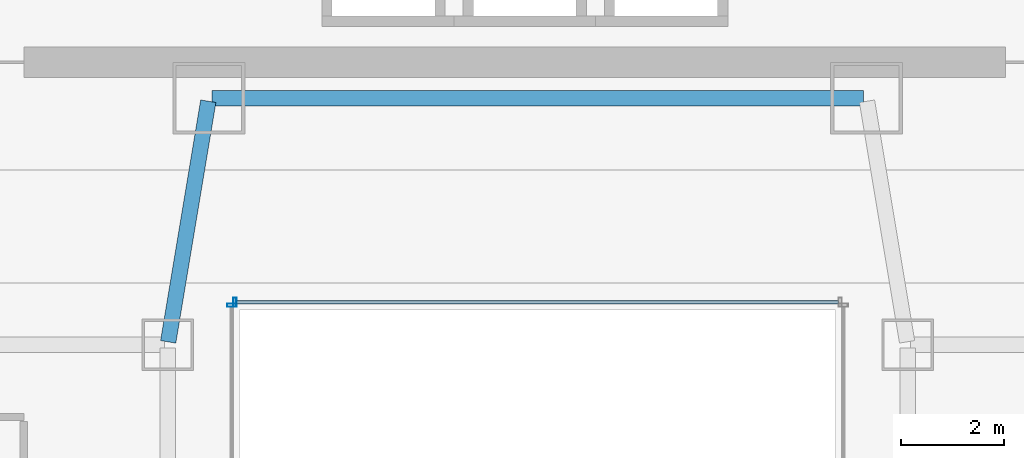
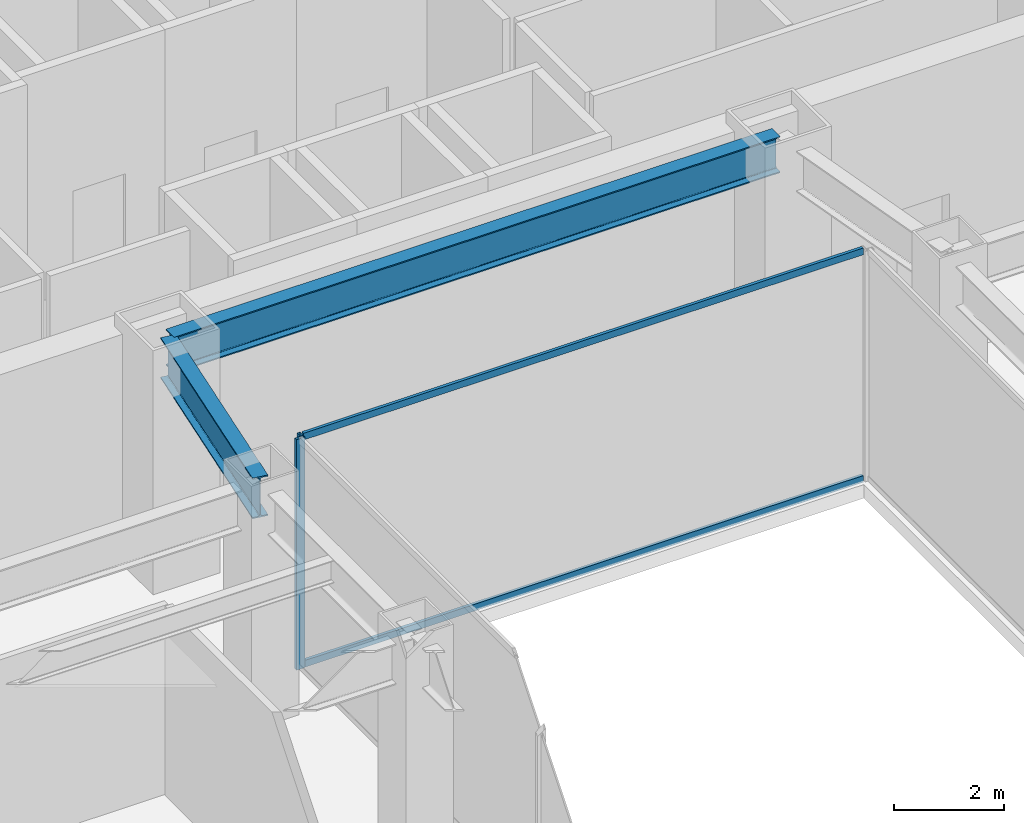
# One storey, part 24 of 52: 4 members, 2 beams, 2 elements without a shape of their own.
"""IFC4 building model written with IfcOpenShell, lengths in metres."""

from ifc_helpers import new_model, si_unit, direction, frame, origin, origin_2d, place, context, subcontext, project, spatial, hollow_rectangle, i_section, extrude, material, material_profile, profile_set, type_object, element, aggregate, save


model = new_model("IFC4")

# Units and contexts
model_context = context("Model", 3, precision=1e-05, world=origin(), true_north=direction((0.0, 1.0)))
body_context = subcontext(model_context, "Body", "Model", "MODEL_VIEW")
ifc_project = project(units=[si_unit("LENGTHUNIT", "METRE"), si_unit("AREAUNIT", "SQUARE_METRE"), si_unit("VOLUMEUNIT", "CUBIC_METRE"), si_unit("PLANEANGLEUNIT", "RADIAN"), si_unit("MASSUNIT", "GRAM", prefix="KILO")], contexts=[model_context])

# Site, building, storey
site_placement = place(None, origin())
site = spatial("IfcSite", under=ifc_project, at=site_placement, CompositionType="ELEMENT")
building_placement = place(site_placement, origin())
building = spatial("IfcBuilding", under=site, at=building_placement, Name="Saevonmaru Cultural Tower", CompositionType="ELEMENT")
storey_placement = place(building_placement, frame((0.0, 0.0, 16.800048828125)))
storey = spatial("IfcBuildingStorey", under=building, at=storey_placement, Name="L03", CompositionType="ELEMENT", Elevation=16.800048828125)

# Beams
ifc_material_1 = material(Name="Steel SM420", Category="steel")
ifc_material_profile_1 = material_profile(ifc_material_1, i_section(OverallWidth=0.300048828125, OverallDepth=0.800048828125, WebThickness=0.013916015625, FlangeThickness=0.02587890625, FilletRadius=0.028076171875, at=origin_2d()), Name="H-800x300x14x26")
ifc_profile_set_1 = profile_set([ifc_material_profile_1], Name="Steel SM420")
beam_type_1 = type_object("IfcBeamType", Name="BM-G-H800", PredefinedType="BEAM", material=ifc_profile_set_1)
beam_1_placement = place(storey_placement, frame((23.659912109375, 42.39990234375, 4.699951171875), z_axis=(1.0, 0.0, 0.0), x_axis=(0.0, 1.0, 0.0)))
element("IfcBeam", 1, at=beam_1_placement, inside=storey, type_object=beam_type_1, Name="L03 Core South Girder 3", PredefinedType="BEAM", context=body_context, shape_type="SweptSolid", body=[
    extrude(i_section(OverallWidth=0.300048828125, OverallDepth=0.800048828125, WebThickness=0.013916015625, FlangeThickness=0.02587890625, FilletRadius=0.028076171875, at=origin_2d()), origin(), (0.0, 0.0, 1.0), 12.68017578125),
])
ifc_material_profile_2 = material_profile(ifc_material_1, i_section(OverallWidth=0.300048828125, OverallDepth=0.89990234375, WebThickness=0.01611328125, FlangeThickness=0.028076171875, FilletRadius=0.028076171875, at=origin_2d()), Name="H-900x300x16x28")
ifc_profile_set_2 = profile_set([ifc_material_profile_2], Name="Steel SM420")
beam_type_2 = type_object("IfcBeamType", Name="BM-G-H900", PredefinedType="BEAM", material=ifc_profile_set_2)
beam_2_placement = place(storey_placement, frame((22.809814453125, 37.6591796875, 4.64990234375), z_axis=(0.164398987305, 0.986393923832, 0.0), x_axis=(-0.986393923832, 0.164398987305, 0.0)))
element("IfcBeam", 2, at=beam_2_placement, inside=storey, type_object=beam_type_2, Name="L03 Podium Girder NS2-6", PredefinedType="BEAM", context=body_context, shape_type="SweptSolid", body=[
    extrude(i_section(OverallWidth=0.300048828125, OverallDepth=0.89990234375, WebThickness=0.01611328125, FlangeThickness=0.028076171875, FilletRadius=0.028076171875, at=origin_2d()), origin(), (0.0, 0.0, 1.0), 4.746337890625),
])

# Curtain wall, member
ifc_material_2 = material(Name="Satin Bronze Anodised Aluminium", Category="aluminium")
curtain_wall_type = type_object("IfcCurtainWallType", Name="CW-ATR-GLZ", PredefinedType="NOTDEFINED", material=ifc_material_2)
curtain_wall_1_placement = place(storey_placement, origin())
curtain_wall_1 = element("IfcCurtainWall", 3, at=curtain_wall_1_placement, inside=storey, type_object=curtain_wall_type, Name="L03 Vertical Atrium Glazed Smoke Screen 3", PredefinedType="NOTDEFINED")
ifc_material_profile_3 = material_profile(ifc_material_2, hollow_rectangle(XDim=0.06494140625, YDim=0.179931640625, WallThickness=0.00390625, at=origin_2d()), Name="ALU-MULL-180x65x4")
ifc_profile_set_3 = profile_set([ifc_material_profile_3], Name="Satin Bronze Anodised Aluminium")
member_type_1 = type_object("IfcMemberType", Name="ML-CW-INT-180x65", PredefinedType="MULLION", material=ifc_profile_set_3)
member_1_placement = place(storey_placement, frame((24.110107421875, 38.429931640625, 0.0), z_axis=(0.0, 0.0, 1.0), x_axis=(-1.0, 0.0, 0.0)))
member_1 = element("IfcMember", 4, at=member_1_placement, type_object=member_type_1, Name="CW-ATR-L03-3 mullion 2", PredefinedType="MULLION", context=body_context, shape_type="SweptSolid", body=[
    extrude(hollow_rectangle(XDim=0.06494140625, YDim=0.179931640625, WallThickness=0.00390625, at=origin_2d()), origin(), (0.0, 0.0, 1.0), 5.099853515625),
])

curtain_wall_2_placement = place(storey_placement, origin())
curtain_wall_2 = element("IfcCurtainWall", 5, at=curtain_wall_2_placement, inside=storey, type_object=curtain_wall_type, Name="L03 Vertical Atrium Glazed Smoke Screen 4", PredefinedType="NOTDEFINED")
member_2_placement = place(storey_placement, frame((24.050048828125, 38.3701171875, 0.0), z_axis=(0.0, 0.0, 1.0), x_axis=(0.0, -1.0, 0.0)))
member_2 = element("IfcMember", 6, at=member_2_placement, type_object=member_type_1, Name="CW-ATR-L03-4 mullion 1", PredefinedType="MULLION", context=body_context, shape_type="SweptSolid", body=[
    extrude(hollow_rectangle(XDim=0.06494140625, YDim=0.179931640625, WallThickness=0.00390625, at=origin_2d()), origin(), (0.0, 0.0, 1.0), 5.099853515625),
])
aggregate(curtain_wall_2, [member_2])

# Member
ifc_material_profile_4 = material_profile(ifc_material_2, hollow_rectangle(XDim=0.06494140625, YDim=0.14990234375, WallThickness=0.00390625, at=origin_2d()), Name="ALU-TRAN-150x65x4")
ifc_profile_set_4 = profile_set([ifc_material_profile_4], Name="Satin Bronze Anodised Aluminium")
member_type_2 = type_object("IfcMemberType", Name="TR-CW-INT-150x65", PredefinedType="USERDEFINED", material=ifc_profile_set_4)
member_3_placement = place(storey_placement, frame((35.857421875, 38.429931640625, 0.032470703125), z_axis=(-1.0, 0.0, 0.0), x_axis=(0.0, -1.0, 0.0)))
member_3 = element("IfcMember", 7, at=member_3_placement, type_object=member_type_2, Name="CW-ATR-L03-3 transom 1.1", ObjectType="TRANSOM", PredefinedType="USERDEFINED", context=body_context, shape_type="SweptSolid", body=[
    extrude(hollow_rectangle(XDim=0.06494140625, YDim=0.14990234375, WallThickness=0.00390625, at=origin_2d()), origin(), (0.0, 0.0, 1.0), 11.71484375),
])

member_4_placement = place(storey_placement, frame((35.857421875, 38.429931640625, 5.0673828125), z_axis=(-1.0, 0.0, 0.0), x_axis=(0.0, -1.0, 0.0)))
member_4 = element("IfcMember", 8, at=member_4_placement, type_object=member_type_2, Name="CW-ATR-L03-3 transom 1.2", ObjectType="TRANSOM", PredefinedType="USERDEFINED", context=body_context, shape_type="SweptSolid", body=[
    extrude(hollow_rectangle(XDim=0.06494140625, YDim=0.14990234375, WallThickness=0.00390625, at=origin_2d()), origin(), (0.0, 0.0, 1.0), 11.71484375),
])

aggregate(curtain_wall_1, [member_1, member_3, member_4])

save(model, "model.ifc")
